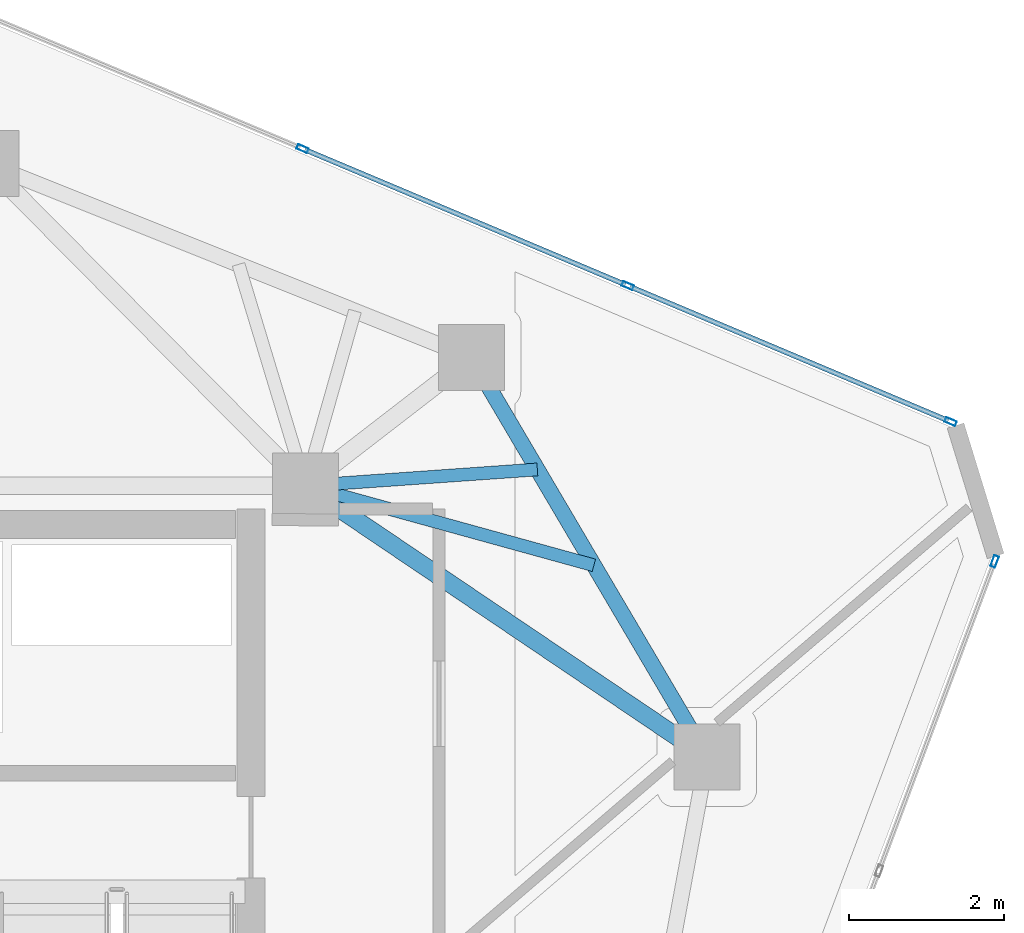
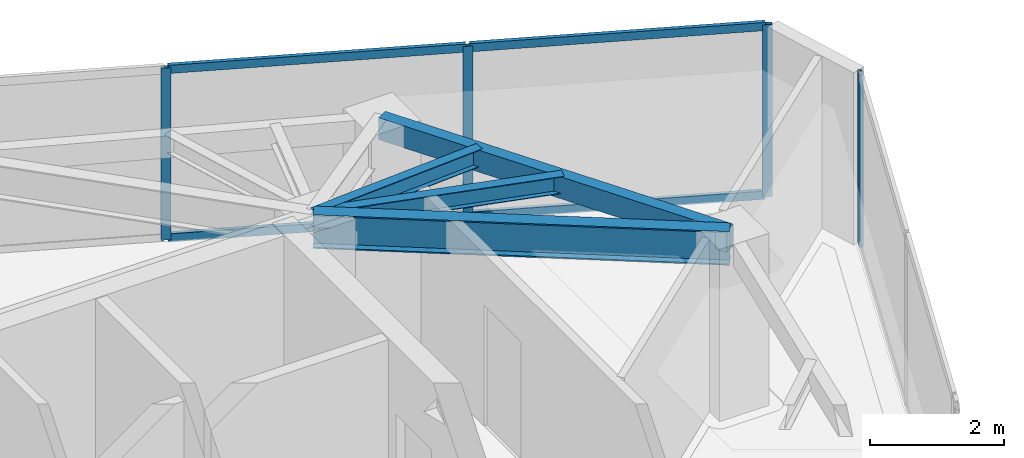
# One storey, part 14 of 20: 8 members, 4 beams, 2 elements without a shape of their own.
"""IFC4 building model written with IfcOpenShell, lengths in metres."""

from ifc_helpers import new_model, si_unit, direction, frame, origin, origin_2d, place, context, subcontext, project, spatial, hollow_rectangle, i_section, extrude, source, transform, mapped, material, layer, layer_set, material_profile, profile_set, type_object, type_shapes, element, aggregate, save


model = new_model("IFC4")

# Units and contexts
model_context = context("Model", 3, precision=1e-05, world=origin(), true_north=direction((0.0, 1.0)))
body_context = subcontext(model_context, "Body", "Model", "MODEL_VIEW")
ifc_project = project(units=[si_unit("LENGTHUNIT", "METRE"), si_unit("AREAUNIT", "SQUARE_METRE"), si_unit("VOLUMEUNIT", "CUBIC_METRE"), si_unit("PLANEANGLEUNIT", "RADIAN"), si_unit("MASSUNIT", "GRAM", prefix="KILO")], contexts=[model_context])

# Site, building, storey
site_placement = place(None, origin())
site = spatial("IfcSite", under=ifc_project, at=site_placement, CompositionType="ELEMENT")
building_placement = place(site_placement, origin())
building = spatial("IfcBuilding", under=site, at=building_placement, Name="Talar Marvaseh", CompositionType="ELEMENT")
storey_placement = place(building_placement, frame((0.0, 0.0, 268.0)))
storey = spatial("IfcBuildingStorey", under=building, at=storey_placement, Name="L71", CompositionType="ELEMENT", Elevation=268.0)

# Beams
ifc_material_1 = material(Name="Steel S355", Category="steel")
ifc_material_profile_1 = material_profile(ifc_material_1, hollow_rectangle(XDim=0.199951171875, YDim=0.39990234375, WallThickness=0.013916015625, at=origin_2d()), Name="RHS400x200x14")
ifc_profile_set_1 = profile_set([ifc_material_profile_1], Name="Steel S355")
beam_type_1 = type_object("IfcBeamType", Name="Zone 3 Perimeter Spandrel Beam RHS400x200x14", PredefinedType="SPANDREL", material=ifc_profile_set_1)
beam_1_placement = place(storey_placement, frame((35.43798828125, 38.551025390625, 2.93994140625), z_axis=(0.507825587611, -0.861459907696, 0.0), x_axis=(0.861459907696, 0.507825587611, 0.0)))
element("IfcBeam", 1, at=beam_1_placement, inside=storey, type_object=beam_type_1, Name="L71 Zone 3 Perimeter Spandrel Beam RHS400x200x14", PredefinedType="SPANDREL", context=body_context, shape_type="SweptSolid", body=[
    extrude(hollow_rectangle(XDim=0.199951171875, YDim=0.39990234375, WallThickness=0.013916015625, at=origin_2d()), origin(), (0.0, 0.0, 1.0), 5.972412109375),
])
ifc_material_profile_2 = material_profile(ifc_material_1, i_section(OverallWidth=0.166015625, OverallDepth=0.31298828125, WebThickness=0.006591796875, FlangeThickness=0.01123046875, at=origin_2d()), Name="W310x45")
ifc_profile_set_2 = profile_set([ifc_material_profile_2], Name="Steel S355")
beam_type_2 = type_object("IfcBeamType", Name="Zone 3 Secondary Floor Joist W310x45", PredefinedType="JOIST", material=ifc_profile_set_2)
beam_2_placement = place(storey_placement, frame((36.287109375, 37.1103515625, 2.9833984375), z_axis=(-0.99752734531, -0.070279409208, 0.0), x_axis=(0.070279409208, -0.99752734531, 0.0)))
element("IfcBeam", 2, at=beam_2_placement, inside=storey, type_object=beam_type_2, Name="L71 Zone 3 Secondary Floor Joist W310x45", PredefinedType="JOIST", context=body_context, shape_type="SweptSolid", body=[
    extrude(i_section(OverallWidth=0.166015625, OverallDepth=0.31298828125, WebThickness=0.006591796875, FlangeThickness=0.01123046875, at=origin_2d()), origin(), (0.0, 0.0, 1.0), 2.994384765625),
])
beam_3_placement = place(storey_placement, frame((37.01513671875, 35.87548828125, 2.9833984375), z_axis=(-0.964021733175, 0.265823433818, 0.0), x_axis=(-0.265823433818, -0.964021733175, 0.0)))
element("IfcBeam", 3, at=beam_3_placement, inside=storey, type_object=beam_type_2, Name="L71 Zone 3 Secondary Floor Joist W310x45", PredefinedType="JOIST", context=body_context, shape_type="SweptSolid", body=[
    extrude(i_section(OverallWidth=0.166015625, OverallDepth=0.31298828125, WebThickness=0.006591796875, FlangeThickness=0.01123046875, at=origin_2d()), origin(), (0.0, 0.0, 1.0), 3.853759765625),
])
ifc_material_profile_3 = material_profile(ifc_material_1, i_section(OverallWidth=0.22998046875, OverallDepth=0.616943359375, WebThickness=0.01318359375, FlangeThickness=0.022216796875, at=origin_2d()), Name="W610x140")
ifc_profile_set_3 = profile_set([ifc_material_profile_3], Name="Steel S355")
beam_type_3 = type_object("IfcBeamType", Name="Zone 4 Radial Floor Girder W610x140", PredefinedType="BEAM", material=ifc_profile_set_3)
beam_4_placement = place(storey_placement, frame((38.470947265625, 33.406005859375, 2.83154296875), z_axis=(-0.828585535277, 0.559862492698, 0.0), x_axis=(-0.559862492698, -0.828585535277, 0.0)))
element("IfcBeam", 4, at=beam_4_placement, inside=storey, type_object=beam_type_3, Name="L71 Zone 4 Radial Floor Girder W610x140", PredefinedType="BEAM", context=body_context, shape_type="SweptSolid", body=[
    extrude(i_section(OverallWidth=0.22998046875, OverallDepth=0.616943359375, WebThickness=0.01318359375, FlangeThickness=0.022216796875, at=origin_2d()), origin(), (0.0, 0.0, 1.0), 6.24072265625),
])

# Curtain wall, members
ifc_material_2 = material(Name="Architectural Aluminium", Category="aluminium")
ifc_layer = layer(ifc_material_2, 0.179931640625)
ifc_layer_set = layer_set([ifc_layer], Name="Architectural Aluminium")
curtain_wall_type = type_object("IfcCurtainWallType", Name="Unitised High-Wind Sky Curtain Wall Z4", PredefinedType="NOTDEFINED", material=ifc_layer_set)
curtain_wall_1_placement = place(storey_placement, origin())
curtain_wall_1 = element("IfcCurtainWall", 5, at=curtain_wall_1_placement, inside=storey, type_object=curtain_wall_type, Name="L71 Unitised High-Wind Sky Curtain Wall Z4", PredefinedType="NOTDEFINED")
ifc_material_profile_4 = material_profile(ifc_material_2, hollow_rectangle(XDim=0.06494140625, YDim=0.14990234375, WallThickness=0.00390625, at=origin_2d()), Name="RHS150x65x4")
ifc_profile_set_4 = profile_set([ifc_material_profile_4], Name="Architectural Aluminium")
member_type_1 = type_object("IfcMemberType", Name="Unitised Curtain Wall Slim Mullion RHS150x65x4", PredefinedType="MULLION", material=ifc_profile_set_4)
shared_shape_1 = source(origin(), body_context, "Body", "SweptSolid", [
    extrude(hollow_rectangle(XDim=0.06494140625, YDim=0.14990234375, WallThickness=0.00390625, at=origin_2d()), origin(), (0.0, 0.0, 1.0), 3.139892578125),
])
type_shapes(member_type_1, [shared_shape_1])
member_1_placement = place(storey_placement, frame((33.2626953125, 41.2421875, 0.0), z_axis=(0.0, 0.0, 1.0), x_axis=(0.388258310498, 0.921550586962, 0.0)))
member_1 = element("IfcMember", 6, at=member_1_placement, type_object=member_type_1, Name="CW-Z4 mullion 2", PredefinedType="MULLION", context=body_context, shape_type="MappedRepresentation", body=[
    mapped(shared_shape_1, transform((0.0, 0.0, 0.0), x_axis=(1.0, 0.0, 0.0), y_axis=(0.0, 1.0, 0.0), z_axis=(0.0, 0.0, 1.0), scale=1.0)),
])
member_2_placement = place(storey_placement, frame((37.450927734375, 39.4775390625, 0.0), z_axis=(0.0, 0.0, 1.0), x_axis=(0.388258310498, 0.921550586962, 0.0)))
member_2 = element("IfcMember", 7, at=member_2_placement, type_object=member_type_1, Name="CW-Z4 mullion 3", PredefinedType="MULLION", context=body_context, shape_type="MappedRepresentation", body=[
    mapped(shared_shape_1, transform((0.0, 0.0, 0.0), x_axis=(1.0, 0.0, 0.0), y_axis=(0.0, 1.0, 0.0), z_axis=(0.0, 0.0, 1.0), scale=1.0)),
])
member_3_placement = place(storey_placement, frame((41.609375, 37.7255859375, 0.0), z_axis=(0.0, 0.0, 1.0), x_axis=(0.388258310498, 0.921550586962, 0.0)))
member_3 = element("IfcMember", 8, at=member_3_placement, type_object=member_type_1, Name="CW-Z4 mullion 4", PredefinedType="MULLION", context=body_context, shape_type="MappedRepresentation", body=[
    mapped(shared_shape_1, transform((0.0, 0.0, 0.0), x_axis=(1.0, 0.0, 0.0), y_axis=(0.0, 1.0, 0.0), z_axis=(0.0, 0.0, 1.0), scale=1.0)),
])

# Curtain wall, member
curtain_wall_2_placement = place(storey_placement, origin())
curtain_wall_2 = element("IfcCurtainWall", 9, at=curtain_wall_2_placement, inside=storey, type_object=curtain_wall_type, Name="L71 Unitised High-Wind Sky Curtain Wall Z4", PredefinedType="NOTDEFINED")
member_4_placement = place(storey_placement, frame((42.177001953125, 35.92578125, 0.0), z_axis=(0.0, 0.0, 1.0), x_axis=(0.93661841065, -0.350351185001, 0.0)))
member_4 = element("IfcMember", 10, at=member_4_placement, type_object=member_type_1, Name="CW-Z4 mullion 1", PredefinedType="MULLION", context=body_context, shape_type="MappedRepresentation", body=[
    mapped(shared_shape_1, transform((0.0, 0.0, 0.0), x_axis=(1.0, 0.0, 0.0), y_axis=(0.0, 1.0, 0.0), z_axis=(0.0, 0.0, 1.0), scale=1.0)),
])
aggregate(curtain_wall_2, [member_4])

# Member
ifc_material_profile_5 = material_profile(ifc_material_2, hollow_rectangle(XDim=0.06494140625, YDim=0.14990234375, WallThickness=0.00390625, at=origin_2d()), Name="RHS150x65x4")
ifc_profile_set_5 = profile_set([ifc_material_profile_5], Name="Architectural Aluminium")
member_type_2 = type_object("IfcMemberType", Name="Unitised Curtain Wall Slim Transom RHS150x65x4", PredefinedType="USERDEFINED", material=ifc_profile_set_5)
shared_shape_2 = source(origin(), body_context, "Body", "SweptSolid", [
    extrude(hollow_rectangle(XDim=0.06494140625, YDim=0.14990234375, WallThickness=0.00390625, at=origin_2d()), origin(), (0.0, 0.0, 1.0), 4.479736328125),
])
member_5_placement = place(storey_placement, frame((33.292724609375, 41.2294921875, 0.032470703125), z_axis=(0.92155739266, -0.388242156435, 0.0), x_axis=(0.388242156435, 0.92155739266, 0.0)))
member_5 = element("IfcMember", 11, at=member_5_placement, type_object=member_type_2, Name="CW-Z4 transom 2.1", ObjectType="TRANSOM", PredefinedType="USERDEFINED", context=body_context, shape_type="MappedRepresentation", body=[
    mapped(shared_shape_2, transform((0.0, 0.0, 0.0), x_axis=(1.0, 0.0, 0.0), y_axis=(0.0, 1.0, 0.0), z_axis=(0.0, 0.0, 1.0), scale=1.0)),
])

member_6_placement = place(storey_placement, frame((33.292724609375, 41.2294921875, 3.107421875), z_axis=(0.92155739266, -0.388242156435, 0.0), x_axis=(0.388242156435, 0.92155739266, 0.0)))
member_6 = element("IfcMember", 12, at=member_6_placement, type_object=member_type_2, Name="CW-Z4 transom 2.2", ObjectType="TRANSOM", PredefinedType="USERDEFINED", context=body_context, shape_type="MappedRepresentation", body=[
    mapped(shared_shape_2, transform((0.0, 0.0, 0.0), x_axis=(1.0, 0.0, 0.0), y_axis=(0.0, 1.0, 0.0), z_axis=(0.0, 0.0, 1.0), scale=1.0)),
])

shared_shape_3 = source(origin(), body_context, "Body", "SweptSolid", [
    extrude(hollow_rectangle(XDim=0.06494140625, YDim=0.14990234375, WallThickness=0.00390625, at=origin_2d()), origin(), (0.0, 0.0, 1.0), 4.447509765625),
])
type_shapes(member_type_2, [shared_shape_2, shared_shape_3])
member_7_placement = place(storey_placement, frame((37.48095703125, 39.465087890625, 0.032470703125), z_axis=(0.92154958984, -0.388260677206, 0.0), x_axis=(0.388260677206, 0.92154958984, 0.0)))
member_7 = element("IfcMember", 13, at=member_7_placement, type_object=member_type_2, Name="CW-Z4 transom 3.1", ObjectType="TRANSOM", PredefinedType="USERDEFINED", context=body_context, shape_type="MappedRepresentation", body=[
    mapped(shared_shape_3, transform((0.0, 0.0, 0.0), x_axis=(1.0, 0.0, 0.0), y_axis=(0.0, 1.0, 0.0), z_axis=(0.0, 0.0, 1.0), scale=1.0)),
])

member_8_placement = place(storey_placement, frame((37.48095703125, 39.465087890625, 3.107421875), z_axis=(0.92154958984, -0.388260677206, 0.0), x_axis=(0.388260677206, 0.92154958984, 0.0)))
member_8 = element("IfcMember", 14, at=member_8_placement, type_object=member_type_2, Name="CW-Z4 transom 3.2", ObjectType="TRANSOM", PredefinedType="USERDEFINED", context=body_context, shape_type="MappedRepresentation", body=[
    mapped(shared_shape_3, transform((0.0, 0.0, 0.0), x_axis=(1.0, 0.0, 0.0), y_axis=(0.0, 1.0, 0.0), z_axis=(0.0, 0.0, 1.0), scale=1.0)),
])

aggregate(curtain_wall_1, [member_1, member_2, member_3, member_5, member_6, member_7, member_8])

save(model, "model.ifc")
